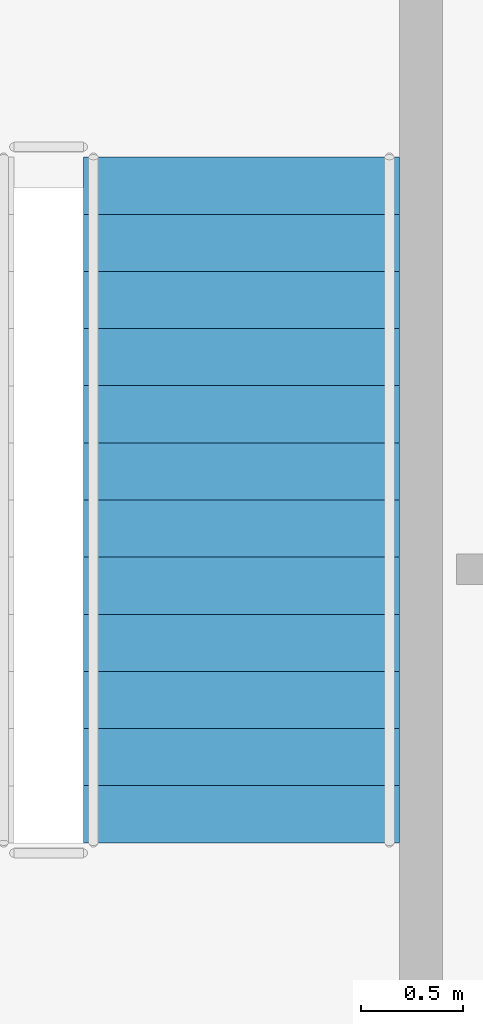
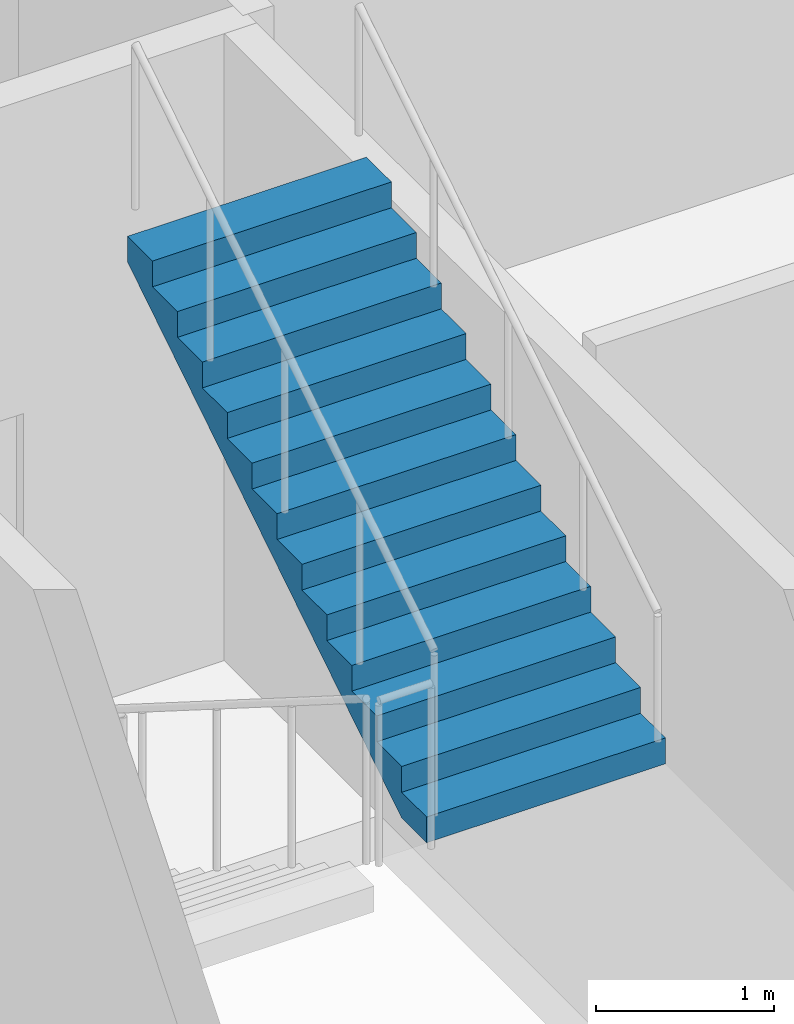
# One storey, part 13 of 24: 1 stair flight, 1 element without a shape of its own.
"""IFC4 building model written with IfcOpenShell, lengths in metres."""

from ifc_helpers import new_model, si_unit, direction, frame, origin, place, context, subcontext, project, spatial, polyline, outline, extrude, material, layer, layer_set, type_object, element, aggregate, save


model = new_model("IFC4")

# Units and contexts
model_context = context("Model", 3, precision=1e-05, world=origin(), true_north=direction((0.0, 1.0)))
body_context = subcontext(model_context, "Body", "Model", "MODEL_VIEW")
ifc_project = project(units=[si_unit("LENGTHUNIT", "METRE"), si_unit("AREAUNIT", "SQUARE_METRE"), si_unit("VOLUMEUNIT", "CUBIC_METRE"), si_unit("PLANEANGLEUNIT", "RADIAN"), si_unit("MASSUNIT", "GRAM", prefix="KILO")], contexts=[model_context])

# Site, building, storey
site_placement = place(None, origin())
site = spatial("IfcSite", under=ifc_project, at=site_placement, CompositionType="ELEMENT")
building_placement = place(site_placement, origin())
building = spatial("IfcBuilding", under=site, at=building_placement, Name="Qalmaran Belvedere Hotel", CompositionType="ELEMENT")
storey_placement = place(building_placement, frame((0.0, 0.0, 14.60009765625)))
storey = spatial("IfcBuildingStorey", under=building, at=storey_placement, Name="L03", CompositionType="ELEMENT", Elevation=14.60009765625)

# Stair, stair flight
ifc_material = material(Name="Concrete C40/50", Category="concrete")
stair_type = type_object("IfcStairType", Name="STR-ST-P2-1550-R1769", PredefinedType="HALF_TURN_STAIR", material=ifc_material)
stair_placement = place(storey_placement, origin())
stair = element("IfcStair", 1, at=stair_placement, inside=storey, type_object=stair_type, Name="L03 East Podium Exit Stair ST-P2", PredefinedType="HALF_TURN_STAIR")
ifc_layer = layer(ifc_material, 0.14990234375, Name="Concrete C40/50")
ifc_layer_set = layer_set([ifc_layer], Name="Concrete C40/50")
stair_flight_type = type_object("IfcStairFlightType", Name="STF-ST-P2-1550-R1769", PredefinedType="STRAIGHT", material=ifc_layer_set)
stair_flight_placement = place(storey_placement, frame((48.864990234375, 6.340087890625, 2.2998046875), z_axis=(0.0, 0.0, 1.0), x_axis=(0.0, 1.0, 0.0)))
stair_flight = element("IfcStairFlight", 2, at=stair_flight_placement, type_object=stair_flight_type, Name="ST-P2 flight 2", NumberOfRisers=13, NumberOfTreads=12, PredefinedType="STRAIGHT", RiserHeight=0.176923077, TreadLength=0.28, context=body_context, shape_type="SweptSolid", body=[
    extrude(outline(polyline([(0.0, 0.0), (0.0, 0.177001953125), (0.280029296875, 0.177001953125), (0.280029296875, 0.353759765625), (0.56005859375, 0.353759765625), (0.56005859375, 0.53076171875), (0.840087890625, 0.53076171875), (0.840087890625, 0.707763671875), (1.1201171875, 0.707763671875), (1.1201171875, 0.884521484375), (1.39990234375, 0.884521484375), (1.39990234375, 1.0615234375), (1.679931640625, 1.0615234375), (1.679931640625, 1.238525390625), (1.9599609375, 1.238525390625), (1.9599609375, 1.415283203125), (2.239990234375, 1.415283203125), (2.239990234375, 1.59228515625), (2.52001953125, 1.59228515625), (2.52001953125, 1.769287109375), (2.800048828125, 1.769287109375), (2.800048828125, 1.946044921875), (3.080078125, 1.946044921875), (3.080078125, 2.123046875), (3.360107421875, 2.123046875), (3.360107421875, 2.300048828125), (3.360107421875, 1.94580078125), (0.280517578125, 0.0), (0.0, 0.0)])), frame((0.0, 0.77490234375, 0.0), z_axis=(0.0, -1.0, 0.0), x_axis=(1.0, 0.0, 0.0)), (0.0, 0.0, 1.0), 1.550048828125),
])
aggregate(stair, [stair_flight])

save(model, "model.ifc")
